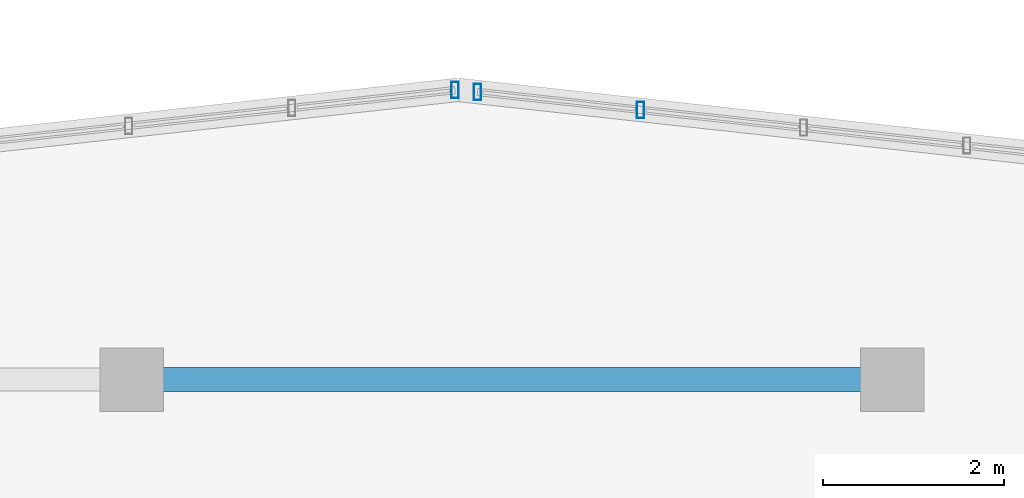
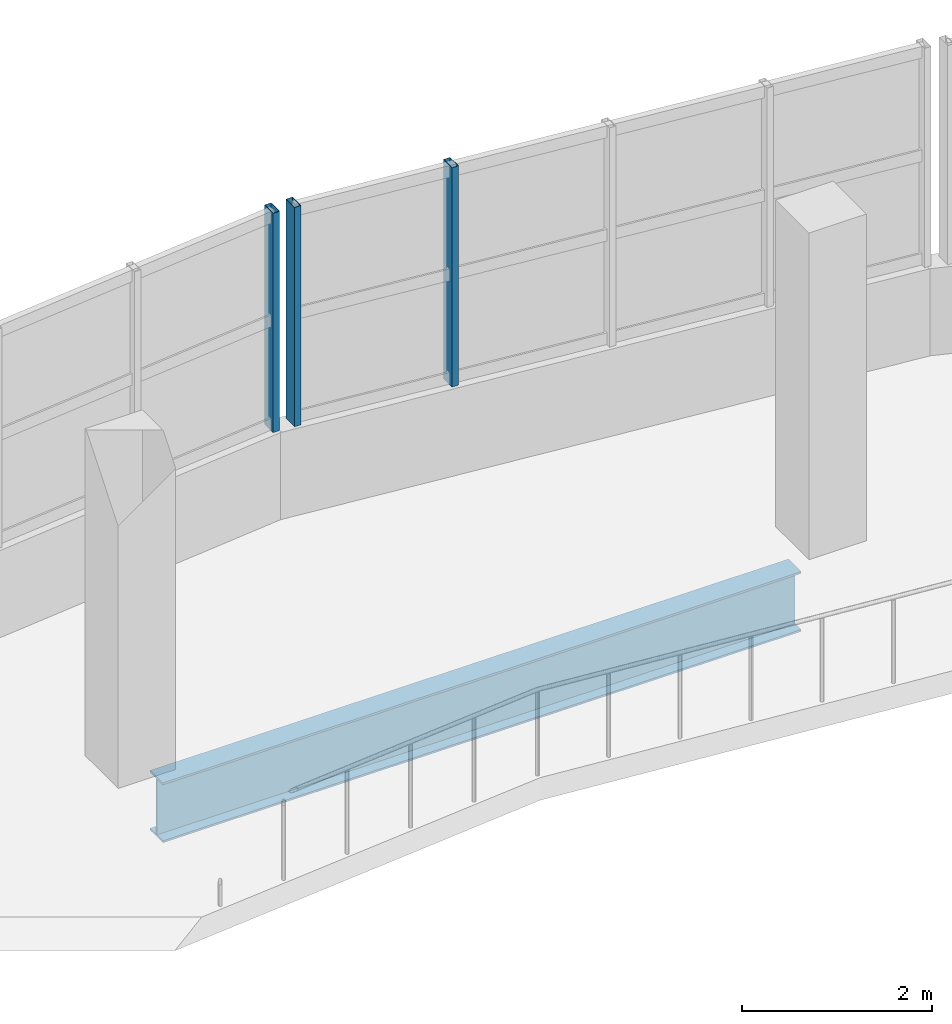
# One storey, part 16 of 52: 3 members, 1 beam, 2 elements without a shape of their own.
"""IFC4 building model written with IfcOpenShell, lengths in metres."""

from ifc_helpers import new_model, si_unit, direction, frame, origin, origin_2d, place, context, subcontext, project, spatial, hollow_rectangle, i_section, extrude, material, material_profile, profile_set, type_object, element, aggregate, save


model = new_model("IFC4")

# Units and contexts
model_context = context("Model", 3, precision=1e-05, world=origin(), true_north=direction((0.0, 1.0)))
body_context = subcontext(model_context, "Body", "Model", "MODEL_VIEW")
ifc_project = project(units=[si_unit("LENGTHUNIT", "METRE"), si_unit("AREAUNIT", "SQUARE_METRE"), si_unit("VOLUMEUNIT", "CUBIC_METRE"), si_unit("PLANEANGLEUNIT", "RADIAN"), si_unit("MASSUNIT", "GRAM", prefix="KILO")], contexts=[model_context])

# Site, building, storey
site_placement = place(None, origin())
site = spatial("IfcSite", under=ifc_project, at=site_placement, CompositionType="ELEMENT")
building_placement = place(site_placement, origin())
building = spatial("IfcBuilding", under=site, at=building_placement, Name="Solvento Point Concert Hall", CompositionType="ELEMENT")
storey_placement = place(building_placement, frame((0.0, 0.0, 19.5)))
storey = spatial("IfcBuildingStorey", under=building, at=storey_placement, Name="L04", CompositionType="ELEMENT", Elevation=19.5)

# Beam
ifc_material_1 = material(Name="Structural Steel ASTM A992 Grade 50", Category="steel")
ifc_material_profile_1 = material_profile(ifc_material_1, i_section(OverallWidth=0.26806640625, OverallDepth=0.77001953125, WebThickness=0.015625, FlangeThickness=0.025390625, at=origin_2d()), Name="W30X132")
ifc_profile_set_1 = profile_set([ifc_material_profile_1], Name="Structural Steel ASTM A992 Grade 50")
beam_type = type_object("IfcBeamType", Name="Girder_W30X132", PredefinedType="USERDEFINED", material=ifc_profile_set_1)
beam_placement = place(storey_placement, frame((57.9189453125, 51.0, -0.678955078125), z_axis=(1.0, 0.0, 0.0), x_axis=(0.0, 1.0, 0.0)))
element("IfcBeam", 1, at=beam_placement, inside=storey, type_object=beam_type, Name="Primary girder B-68 L04", ObjectType="GIRDER", PredefinedType="USERDEFINED", context=body_context, shape_type="SweptSolid", body=[
    extrude(i_section(OverallWidth=0.26806640625, OverallDepth=0.77001953125, WebThickness=0.015625, FlangeThickness=0.025390625, at=origin_2d()), origin(), (0.0, 0.0, 1.0), 7.761962890625),
])

# Curtain wall, member
ifc_material_2 = material(Name="Anodized Bronze Aluminium", Category="aluminium")
curtain_wall_type = type_object("IfcCurtainWallType", Name="CurtainWall_RingRibbon_L03_04", PredefinedType="USERDEFINED", material=ifc_material_2)
curtain_wall_1_placement = place(storey_placement, origin())
curtain_wall_1 = element("IfcCurtainWall", 2, at=curtain_wall_1_placement, inside=storey, type_object=curtain_wall_type, Name="Unitised curtain wall CW-31 UCW-L04-220", ObjectType="UNITISED CURTAIN WALL", PredefinedType="USERDEFINED")
ifc_material_3 = material(Name="Anodized Bronze Aluminium", Category="aluminium")
ifc_material_profile_2 = material_profile(ifc_material_3, hollow_rectangle(XDim=0.080078125, YDim=0.179931640625, WallThickness=0.00390625, at=origin_2d()), Name="CW-MUL-80X180")
ifc_profile_set_2 = profile_set([ifc_material_profile_2], Name="Anodized Bronze Aluminium")
member_type = type_object("IfcMemberType", Name="Mullion_80x180", PredefinedType="MULLION", material=ifc_profile_set_2)
member_1_placement = place(storey_placement, frame((61.170166015625, 54.19677734375, 1.1201171875), z_axis=(0.0, 0.0, 1.0), x_axis=(1.0, 0.0, 0.0)))
member_1 = element("IfcMember", 3, at=member_1_placement, type_object=member_type, Name="Curtain wall mullion ML-01", PredefinedType="MULLION", context=body_context, shape_type="SweptSolid", body=[
    extrude(hollow_rectangle(XDim=0.080078125, YDim=0.179931640625, WallThickness=0.00390625, at=origin_2d()), origin(), (0.0, 0.0, 1.0), 2.81982421875),
])
aggregate(curtain_wall_1, [member_1])

# Curtain wall, members
curtain_wall_2_placement = place(storey_placement, origin())
curtain_wall_2 = element("IfcCurtainWall", 4, at=curtain_wall_2_placement, inside=storey, type_object=curtain_wall_type, Name="Unitised curtain wall CW-31 UCW-L04-221", ObjectType="UNITISED CURTAIN WALL", PredefinedType="USERDEFINED")
member_2_placement = place(storey_placement, frame((61.418701171875, 54.176025390625, 1.1201171875), z_axis=(0.0, 0.0, 1.0), x_axis=(1.0, 0.0, 0.0)))
member_2 = element("IfcMember", 5, at=member_2_placement, type_object=member_type, Name="Curtain wall mullion ML-01", PredefinedType="MULLION", context=body_context, shape_type="SweptSolid", body=[
    extrude(hollow_rectangle(XDim=0.080078125, YDim=0.179931640625, WallThickness=0.00390625, at=origin_2d()), origin(), (0.0, 0.0, 1.0), 2.81982421875),
])
member_3_placement = place(storey_placement, frame((63.22021484375, 53.978515625, 1.1201171875), z_axis=(0.0, 0.0, 1.0), x_axis=(1.0, 0.0, 0.0)))
member_3 = element("IfcMember", 6, at=member_3_placement, type_object=member_type, Name="Curtain wall mullion ML-01", PredefinedType="MULLION", context=body_context, shape_type="SweptSolid", body=[
    extrude(hollow_rectangle(XDim=0.080078125, YDim=0.179931640625, WallThickness=0.00390625, at=origin_2d()), origin(), (0.0, 0.0, 1.0), 2.81982421875),
])
aggregate(curtain_wall_2, [member_2, member_3])

save(model, "model.ifc")
